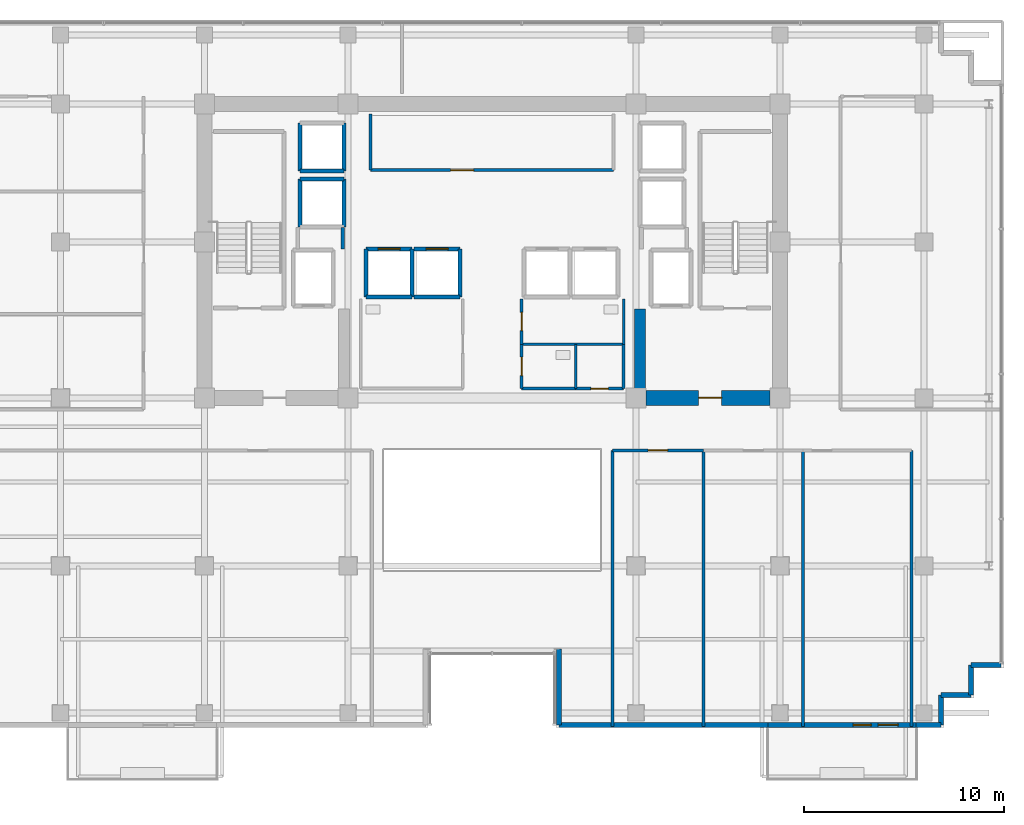
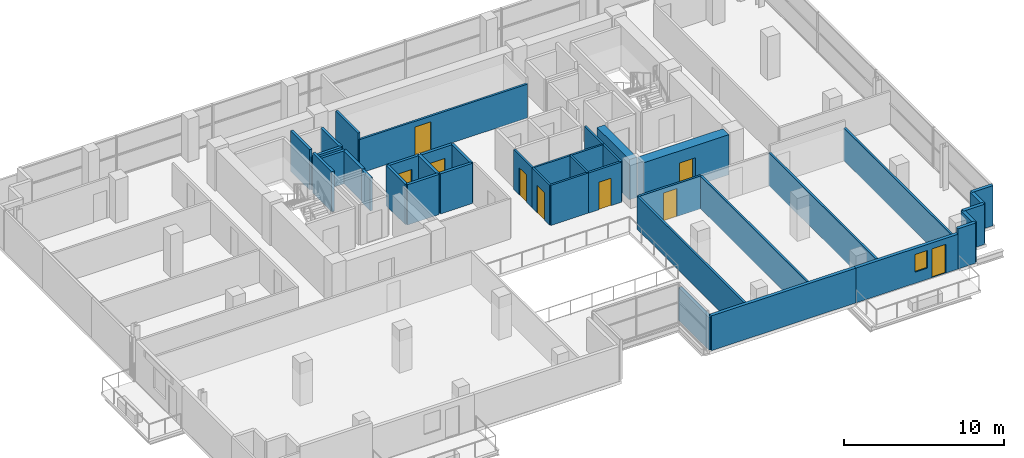
# One storey, part 21 of 28: 39 walls, 9 doors, 1 window, 10 openings.
"""IFC4 building model written with IfcOpenShell, lengths in metres."""

from ifc_helpers import new_model, si_unit, direction, frame, frame_2d, origin, place, context, subcontext, project, spatial, rectangle, extrude, source, transform, mapped, material, layer, layer_set, type_object, element, fill, save


model = new_model("IFC4")

# Units and contexts
model_context = context("Model", 3, precision=1e-05, world=origin(), true_north=direction((0.0, 1.0)))
body_context = subcontext(model_context, "Body", "Model", "MODEL_VIEW")
ifc_project = project(units=[si_unit("LENGTHUNIT", "METRE"), si_unit("AREAUNIT", "SQUARE_METRE"), si_unit("VOLUMEUNIT", "CUBIC_METRE"), si_unit("PLANEANGLEUNIT", "RADIAN"), si_unit("MASSUNIT", "GRAM", prefix="KILO")], contexts=[model_context])

# Site, building, storey
site_placement = place(None, origin())
site = spatial("IfcSite", under=ifc_project, at=site_placement, CompositionType="ELEMENT")
building_placement = place(site_placement, origin())
building = spatial("IfcBuilding", under=site, at=building_placement, Name="Zarnakvel Exchange Tower", CompositionType="ELEMENT")
storey_placement = place(building_placement, frame((0.0, 0.0, 109.89990234375)))
storey = spatial("IfcBuildingStorey", under=building, at=storey_placement, Name="L30", CompositionType="ELEMENT", Elevation=109.89990234375)

# Wall, opening, door
ifc_material_1 = material(Name="Concrete C60/75", Category="concrete")
ifc_layer_1 = layer(ifc_material_1, 0.75)
ifc_layer_set_1 = layer_set([ifc_layer_1], Name="Concrete C60/75")
wall_type_1 = type_object("IfcWallType", Name="CW-C3", PredefinedType="SHEAR", material=ifc_layer_set_1)
wall_1_placement = place(storey_placement, frame((13.89990234375, -1.199951171875, 0.0), z_axis=(0.0, 0.0, 1.0), x_axis=(-1.0, 0.0, 0.0)))
wall_1 = element("IfcWall", 1, at=wall_1_placement, inside=storey, type_object=wall_type_1, Name="L30 Rear Core Shear Wall SE (CW-C3)", PredefinedType="SHEAR", context=body_context, shape_type="SweptSolid", body=[
    extrude(rectangle(XDim=6.199951171875, YDim=0.75, at=frame_2d((3.10009765625, 0.0))), origin(), (0.0, 0.0, 1.0), 3.0751953125),
])
opening_1_placement = place(wall_1_placement, frame((2.425048828125, 0.0, 0.0)))
opening_1 = element("IfcOpeningElement", 2, at=opening_1_placement, cuts=wall_1, Name="Opening D-L30-04", PredefinedType="OPENING", context=body_context, shape_type="SweptSolid", body=[
    extrude(rectangle(XDim=1.14990234375, YDim=2.14990234375, at=frame_2d((0.574951171875, 1.074951171875))), frame((0.0, 0.385009765625, 0.0), z_axis=(0.0, -1.0, 0.0), x_axis=(1.0, 0.0, 0.0)), (0.0, 0.0, 1.0), 0.77001953125),
])
ifc_material_2 = material(Name="Painted Galvanised Steel S355", Category="steel")
door_type_1 = type_object("IfcDoorType", Name="DT-04", OperationType="NOTDEFINED", PredefinedType="DOOR", material=ifc_material_2)
shared_shape_1 = source(origin(), body_context, "Body", "SweptSolid", [
    extrude(rectangle(XDim=1.14990234375, YDim=2.14990234375, at=frame_2d((0.574951171875, 1.074951171875))), frame((0.0, 0.02490234375, 0.0), z_axis=(0.0, -1.0, 0.0), x_axis=(1.0, 0.0, 0.0)), (0.0, 0.0, 1.0), 0.050048828125),
])
door_1_placement = place(opening_1_placement, origin())
door_1 = element("IfcDoor", 3, at=door_1_placement, inside=storey, type_object=door_type_1, Name="L30 Firefighting Lobby East Door D-L30-04", OperationType="SINGLE_SWING_LEFT", OverallHeight=2.14990234375, OverallWidth=1.14990234375, PredefinedType="DOOR", context=body_context, shape_type="MappedRepresentation", body=[
    mapped(shared_shape_1, transform((0.0, 0.0, 0.0), x_axis=(1.0, 0.0, 0.0), y_axis=(0.0, 1.0, 0.0), z_axis=(0.0, 0.0, 1.0), scale=1.0)),
])
fill(opening_1, door_1)

# Wall
ifc_layer_2 = layer(ifc_material_1, 0.550048828125)
ifc_layer_set_2 = layer_set([ifc_layer_2], Name="Concrete C60/75")
wall_type_2 = type_object("IfcWallType", Name="CW-C4", PredefinedType="SHEAR", material=ifc_layer_set_2)
wall_2_placement = place(storey_placement, frame((7.39990234375, -0.824951171875, 0.0), z_axis=(0.0, 0.0, 1.0), x_axis=(0.0, 1.0, 0.0)))
element("IfcWall", 4, at=wall_2_placement, inside=storey, type_object=wall_type_2, Name="L30 Rear Core Shear Wall IE (CW-C4)", PredefinedType="SHEAR", context=body_context, shape_type="SweptSolid", body=[
    extrude(rectangle(XDim=4.074951171875, YDim=0.550048828125, at=frame_2d((2.03759765625, 0.0))), origin(), (0.0, 0.0, 1.0), 3.0751953125),
])

# Wall, openings, door, window
ifc_material_3 = material(Name="Precast concrete C40/50", Category="concrete")
ifc_layer_3 = layer(ifc_material_3, 0.239990234375)
ifc_layer_set_3 = layer_set([ifc_layer_3], Name="Precast concrete C40/50")
wall_type_3 = type_object("IfcWallType", Name="EW-02", PredefinedType="SOLIDWALL", material=ifc_layer_set_3)
wall_3_placement = place(storey_placement, frame((21.199951171875, -17.56005859375, 0.0), z_axis=(0.0, 0.0, 1.0), x_axis=(-1.0, 0.0, 0.0)))
wall_3 = element("IfcWall", 5, at=wall_3_placement, inside=storey, type_object=wall_type_3, Name="L30 Exterior Precast Spandrel Wall EW-BAL-L30-SE (EW-02)", PredefinedType="SOLIDWALL", context=body_context, shape_type="SweptSolid", body=[
    extrude(rectangle(XDim=7.39990234375, YDim=0.239990234375, at=frame_2d((3.699951171875, 0.0))), origin(), (0.0, 0.0, 1.0), 2.6650390625),
])
opening_2_placement = place(wall_3_placement, frame((0.887939453125, 0.0, 0.0)))
opening_2 = element("IfcOpeningElement", 6, at=opening_2_placement, cuts=wall_3, Name="Opening BD-L30-02", PredefinedType="OPENING", context=body_context, shape_type="SweptSolid", body=[
    extrude(rectangle(XDim=1.0, YDim=2.199951171875, at=frame_2d((0.5, 1.10009765625))), frame((0.0, 0.1298828125, 0.0), z_axis=(0.0, -1.0, 0.0), x_axis=(1.0, 0.0, 0.0)), (0.0, 0.0, 1.0), 0.260009765625),
])
opening_3_placement = place(wall_3_placement, frame((2.238037109375, 0.0, 0.85009765625)))
opening_3 = element("IfcOpeningElement", 7, at=opening_3_placement, cuts=wall_3, Name="Opening WN-06", PredefinedType="OPENING", context=body_context, shape_type="SweptSolid", body=[
    extrude(rectangle(XDim=0.89990234375, YDim=1.35009765625, at=frame_2d((0.449951171875, 0.675048828125))), frame((0.0, 0.1298828125, 0.0), z_axis=(0.0, -1.0, 0.0), x_axis=(1.0, 0.0, 0.0)), (0.0, 0.0, 1.0), 0.260009765625),
])
ifc_material_4 = material(Name="Architectural Bronze Anodised Aluminium", Category="aluminium")
door_type_2 = type_object("IfcDoorType", Name="DT-09", OperationType="NOTDEFINED", PredefinedType="DOOR", material=ifc_material_4)
shared_shape_2 = source(origin(), body_context, "Body", "SweptSolid", [
    extrude(rectangle(XDim=1.0, YDim=2.199951171875, at=frame_2d((0.5, 1.10009765625))), frame((0.0, 0.02490234375, 0.0), z_axis=(0.0, -1.0, 0.0), x_axis=(1.0, 0.0, 0.0)), (0.0, 0.0, 1.0), 0.050048828125),
])
door_2_placement = place(opening_2_placement, origin())
door_2 = element("IfcDoor", 8, at=door_2_placement, inside=storey, type_object=door_type_2, Name="L30 Planted Loggia Balcony Door BD-L30-02", OperationType="SINGLE_SWING_LEFT", OverallHeight=2.199951171875, OverallWidth=1.0, PredefinedType="DOOR", context=body_context, shape_type="MappedRepresentation", body=[
    mapped(shared_shape_2, transform((0.0, 0.0, 0.0), x_axis=(1.0, 0.0, 0.0), y_axis=(0.0, 1.0, 0.0), z_axis=(0.0, 0.0, 1.0), scale=1.0)),
])
fill(opening_2, door_2)
ifc_material_5 = material(Name="Double Low-E Laminated Vision Glass", Category="glass")
window_type = type_object("IfcWindowType", Name="WN-06", PartitioningType="SINGLE_PANEL", PredefinedType="WINDOW", material=ifc_material_5)
shared_shape_3 = source(origin(), body_context, "Body", "SweptSolid", [
    extrude(rectangle(XDim=0.89990234375, YDim=1.35009765625, at=frame_2d((0.449951171875, 0.675048828125))), frame((0.0, 0.030029296875, 0.0), z_axis=(0.0, -1.0, 0.0), x_axis=(1.0, 0.0, 0.0)), (0.0, 0.0, 1.0), 0.06005859375),
])
window_placement = place(opening_3_placement, origin())
window = element("IfcWindow", 9, at=window_placement, inside=storey, type_object=window_type, Name="L30 Loggia Daylight Window (WN-06)", OverallHeight=1.35009765625, OverallWidth=0.89990234375, PartitioningType="SINGLE_PANEL", PredefinedType="WINDOW", context=body_context, shape_type="MappedRepresentation", body=[
    mapped(shared_shape_3, transform((0.0, 0.0, 0.0), x_axis=(1.0, 0.0, 0.0), y_axis=(0.0, 1.0, 0.0), z_axis=(0.0, 0.0, 1.0), scale=1.0)),
])
fill(opening_3, window)

# Walls
for number, where, z_axis, x_axis, name in (
    (10, (23.9599609375, -14.56005859375, 0.0), (0.0, 0.0, 1.0), (1.0, 0.0, 0.0), "L30 Exterior Precast Spandrel Wall EWC-L30-11 (EW-02)"),
    (11, (23.9599609375, -16.06005859375, 0.0), (0.0, 0.0, 1.0), (0.0, 1.0, 0.0), "L30 Exterior Precast Spandrel Wall EWC-L30-12 (EW-02)"),
    (12, (22.4599609375, -16.06005859375, 0.0), (0.0, 0.0, 1.0), (1.0, 0.0, 0.0), "L30 Exterior Precast Spandrel Wall EWC-L30-13 (EW-02)"),
    (13, (22.4599609375, -17.56005859375, 0.0), (0.0, 0.0, 1.0), (0.0, 1.0, 0.0), "L30 Exterior Precast Spandrel Wall EWC-L30-14 (EW-02)"),
):
    element("IfcWall", number, at=place(storey_placement, frame(where, z_axis=z_axis, x_axis=x_axis)), inside=storey, type_object=wall_type_3, Name=name, PredefinedType="SOLIDWALL", context=body_context, shape_type="SweptSolid", body=[
        extrude(rectangle(XDim=1.5, YDim=0.239990234375, at=frame_2d((0.75, 0.0))), origin(), (0.0, 0.0, 1.0), 3.0751953125),
    ])
wall_4_placement = place(storey_placement, frame((21.199951171875, -17.56005859375, 0.0), z_axis=(0.0, 0.0, 1.0), x_axis=(1.0, 0.0, 0.0)))
element("IfcWall", 14, at=wall_4_placement, inside=storey, type_object=wall_type_3, Name="L30 Exterior Precast Spandrel Wall EWC-L30-15 (EW-02)", PredefinedType="SOLIDWALL", context=body_context, shape_type="SweptSolid", body=[
    extrude(rectangle(XDim=1.260009765625, YDim=0.239990234375, at=frame_2d((0.6298828125, 0.0))), origin(), (0.0, 0.0, 1.0), 3.0751953125),
])
wall_5_placement = place(storey_placement, frame((3.340087890625, -17.56005859375, 0.0), z_axis=(0.0, 0.0, 1.0), x_axis=(1.0, 0.0, 0.0)))
element("IfcWall", 15, at=wall_5_placement, inside=storey, type_object=wall_type_3, Name="L30 Exterior Precast Spandrel Wall EWC-L30-16 (EW-02)", PredefinedType="SOLIDWALL", context=body_context, shape_type="SweptSolid", body=[
    extrude(rectangle(XDim=10.4599609375, YDim=0.239990234375, at=frame_2d((5.22998046875, 0.0))), origin(), (0.0, 0.0, 1.0), 2.6650390625),
])
wall_6_placement = place(storey_placement, frame((3.340087890625, -13.760009765625, 0.0), z_axis=(0.0, 0.0, 1.0), x_axis=(0.0, -1.0, 0.0)))
element("IfcWall", 16, at=wall_6_placement, inside=storey, type_object=wall_type_3, Name="L30 Exterior Precast Spandrel Wall EWC-L30-17 (EW-02)", PredefinedType="SOLIDWALL", context=body_context, shape_type="SweptSolid", body=[
    extrude(rectangle(XDim=3.800048828125, YDim=0.239990234375, at=frame_2d((1.89990234375, 0.0))), origin(), (0.0, 0.0, 1.0), 2.51513671875),
])

# Wall, opening, door
ifc_material_6 = material(Name="Fire-Rated Gypsum Stud Partition", Category="gypsum")
ifc_layer_4 = layer(ifc_material_6, 0.14990234375)
ifc_layer_set_4 = layer_set([ifc_layer_4], Name="Fire-Rated Gypsum Stud Partition")
wall_type_4 = type_object("IfcWallType", Name="PT-01", PredefinedType="PARTITIONING", material=ifc_layer_set_4)
wall_7_placement = place(storey_placement, frame((6.080078125, 10.199951171875, 0.0), z_axis=(0.0, 0.0, 1.0), x_axis=(-1.0, 0.0, 0.0)))
wall_7 = element("IfcWall", 17, at=wall_7_placement, inside=storey, type_object=wall_type_4, Name="L30 Partition Wall PWALL-L30-011 (PT-01)", PredefinedType="PARTITIONING", context=body_context, shape_type="SweptSolid", body=[
    extrude(rectangle(XDim=12.16015625, YDim=0.14990234375, at=frame_2d((6.080078125, 0.0))), origin(), (0.0, 0.0, 1.0), 2.590087890625),
])
opening_4_placement = place(wall_7_placement, frame((7.0048828125, 0.0, 0.0)))
opening_4 = element("IfcOpeningElement", 18, at=opening_4_placement, cuts=wall_7, Name="Opening D-L30-05", PredefinedType="OPENING", context=body_context, shape_type="SweptSolid", body=[
    extrude(rectangle(XDim=1.14990234375, YDim=2.14990234375, at=frame_2d((0.574951171875, 1.074951171875))), frame((0.0, 0.0849609375, 0.0), z_axis=(0.0, -1.0, 0.0), x_axis=(1.0, 0.0, 0.0)), (0.0, 0.0, 1.0), 0.169921875),
])
door_3_placement = place(opening_4_placement, origin())
door_3 = element("IfcDoor", 19, at=door_3_placement, inside=storey, type_object=door_type_1, Name="L30 Market Data Archive Suite Door D-L30-05", OperationType="SINGLE_SWING_RIGHT", OverallHeight=2.14990234375, OverallWidth=1.14990234375, PredefinedType="DOOR", context=body_context, shape_type="MappedRepresentation", body=[
    mapped(shared_shape_1, transform((0.0, 0.0, 0.0), x_axis=(1.0, 0.0, 0.0), y_axis=(0.0, 1.0, 0.0), z_axis=(0.0, 0.0, 1.0), scale=1.0)),
])
fill(opening_4, door_3)

# Wall
wall_8_placement = place(storey_placement, frame((-6.080078125, 10.199951171875, 0.0), z_axis=(0.0, 0.0, 1.0), x_axis=(0.0, 1.0, 0.0)))
element("IfcWall", 20, at=wall_8_placement, inside=storey, type_object=wall_type_4, Name="L30 Partition Wall PWALL-L30-012 (PT-01)", PredefinedType="PARTITIONING", context=body_context, shape_type="SweptSolid", body=[
    extrude(rectangle(XDim=2.800048828125, YDim=0.14990234375, at=frame_2d((1.39990234375, 0.0))), origin(), (0.0, 0.0, 1.0), 3.0751953125),
])

# Wall, opening, door
wall_9_placement = place(storey_placement, frame((6.580078125, -0.72998046875, 0.0), z_axis=(0.0, 0.0, 1.0), x_axis=(-1.0, 0.0, 0.0)))
wall_9 = element("IfcWall", 21, at=wall_9_placement, inside=storey, type_object=wall_type_4, Name="L30 Partition Wall PWALL-L30-023 (PT-01)", PredefinedType="PARTITIONING", context=body_context, shape_type="SweptSolid", body=[
    extrude(rectangle(XDim=2.400146484375, YDim=0.14990234375, at=frame_2d((1.2001953125, 0.0))), origin(), (0.0, 0.0, 1.0), 3.0751953125),
])
opening_5_placement = place(wall_9_placement, frame((0.760009765625, 0.0, 0.0)))
opening_5 = element("IfcOpeningElement", 22, at=opening_5_placement, cuts=wall_9, Name="Opening D-L30-09", PredefinedType="OPENING", context=body_context, shape_type="SweptSolid", body=[
    extrude(rectangle(XDim=0.8798828125, YDim=2.10009765625, at=frame_2d((0.43994140625, 1.050048828125))), frame((0.0, 0.0849609375, 0.0), z_axis=(0.0, -1.0, 0.0), x_axis=(1.0, 0.0, 0.0)), (0.0, 0.0, 1.0), 0.169921875),
])
door_type_3 = type_object("IfcDoorType", Name="DT-08", OperationType="NOTDEFINED", PredefinedType="DOOR", material=ifc_material_2)
shared_shape_4 = source(origin(), body_context, "Body", "SweptSolid", [
    extrude(rectangle(XDim=0.8798828125, YDim=2.10009765625, at=frame_2d((0.43994140625, 1.050048828125))), frame((0.0, 0.02490234375, 0.0), z_axis=(0.0, -1.0, 0.0), x_axis=(1.0, 0.0, 0.0)), (0.0, 0.0, 1.0), 0.050048828125),
])
door_4_placement = place(opening_5_placement, origin())
door_4 = element("IfcDoor", 23, at=door_4_placement, inside=storey, type_object=door_type_3, Name="L30 Cleaners Store Door D-L30-09", OperationType="SINGLE_SWING_RIGHT", OverallHeight=2.10009765625, OverallWidth=0.8798828125, PredefinedType="DOOR", context=body_context, shape_type="MappedRepresentation", body=[
    mapped(shared_shape_4, transform((0.0, 0.0, 0.0), x_axis=(1.0, 0.0, 0.0), y_axis=(0.0, 1.0, 0.0), z_axis=(0.0, 0.0, 1.0), scale=1.0)),
])
fill(opening_5, door_4)

# Wall
wall_10_placement = place(storey_placement, frame((6.580078125, 1.47998046875, 0.0), z_axis=(0.0, 0.0, 1.0), x_axis=(0.0, -1.0, 0.0)))
element("IfcWall", 24, at=wall_10_placement, inside=storey, type_object=wall_type_4, Name="L30 Partition Wall PWALL-L30-024 (PT-01)", PredefinedType="PARTITIONING", context=body_context, shape_type="SweptSolid", body=[
    extrude(rectangle(XDim=2.2099609375, YDim=0.14990234375, at=frame_2d((1.10498046875, 0.0))), origin(), (0.0, 0.0, 1.0), 3.0751953125),
])

# Wall, opening, door
wall_11_placement = place(storey_placement, frame((6.02001953125, -3.830078125, 0.0), z_axis=(0.0, 0.0, 1.0), x_axis=(1.0, 0.0, 0.0)))
wall_11 = element("IfcWall", 25, at=wall_11_placement, inside=storey, type_object=wall_type_4, Name="L30 Partition Wall PWALL-L30-030 (PT-01)", PredefinedType="PARTITIONING", context=body_context, shape_type="SweptSolid", body=[
    extrude(rectangle(XDim=4.54833984375, YDim=0.14990234375, at=frame_2d((2.274169921875, 0.0))), origin(), (0.0, 0.0, 1.0), 2.51513671875),
])
opening_6_placement = place(wall_11_placement, frame((1.783935546875, 0.0, 0.0)))
opening_6 = element("IfcOpeningElement", 26, at=opening_6_placement, cuts=wall_11, Name="Opening D-L30-11", PredefinedType="OPENING", context=body_context, shape_type="SweptSolid", body=[
    extrude(rectangle(XDim=0.97998046875, YDim=2.14990234375, at=frame_2d((0.489990234375, 1.074951171875))), frame((0.0, 0.0849609375, 0.0), z_axis=(0.0, -1.0, 0.0), x_axis=(1.0, 0.0, 0.0)), (0.0, 0.0, 1.0), 0.169921875),
])
ifc_material_7 = material(Name="Timber Acoustic Veneer", Category="wood")
door_type_4 = type_object("IfcDoorType", Name="DT-05", OperationType="NOTDEFINED", PredefinedType="DOOR", material=ifc_material_7)
shared_shape_5 = source(origin(), body_context, "Body", "SweptSolid", [
    extrude(rectangle(XDim=0.97998046875, YDim=2.14990234375, at=frame_2d((0.489990234375, 1.074951171875))), frame((0.0, 0.02490234375, 0.0), z_axis=(0.0, -1.0, 0.0), x_axis=(1.0, 0.0, 0.0)), (0.0, 0.0, 1.0), 0.050048828125),
])
door_5_placement = place(opening_6_placement, origin())
door_5 = element("IfcDoor", 27, at=door_5_placement, inside=storey, type_object=door_type_4, Name="L30 Conference Room Door D-L30-11", OperationType="SINGLE_SWING_RIGHT", OverallHeight=2.14990234375, OverallWidth=0.97998046875, PredefinedType="DOOR", context=body_context, shape_type="MappedRepresentation", body=[
    mapped(shared_shape_5, transform((0.0, 0.0, 0.0), x_axis=(1.0, 0.0, 0.0), y_axis=(0.0, 1.0, 0.0), z_axis=(0.0, 0.0, 1.0), scale=1.0)),
])
fill(opening_6, door_5)

# Walls
for number, where, z_axis, x_axis, name in (
    (28, (6.02001953125, -17.6298828125, 0.0), (0.0, 0.0, 1.0), (0.0, 1.0, 0.0), "L30 Partition Wall PWALL-L30-031 (PT-01)"),
    (29, (10.568359375, -3.830078125, 0.0), (0.0, 0.0, 1.0), (0.0, -1.0, 0.0), "L30 Partition Wall PWALL-L30-032 (PT-01)"),
    (30, (15.5556640625, -3.830078125, 0.0), (0.0, 0.0, 1.0), (0.0, -1.0, 0.0), "L30 Partition Wall PWALL-L30-035 (PT-01)"),
    (31, (20.981689453125, -3.830078125, 0.0), (0.0, 0.0, 1.0), (0.0, -1.0, 0.0), "L30 Partition Wall PWALL-L30-038 (PT-01)"),
):
    element("IfcWall", number, at=place(storey_placement, frame(where, z_axis=z_axis, x_axis=x_axis)), inside=storey, type_object=wall_type_4, Name=name, PredefinedType="PARTITIONING", context=body_context, shape_type="SweptSolid", body=[
        extrude(rectangle(XDim=13.7998046875, YDim=0.14990234375, at=frame_2d((6.89990234375, 0.0))), origin(), (0.0, 0.0, 1.0), 2.51513671875),
    ])
ifc_layer_5 = layer(ifc_material_6, 0.179931640625)
ifc_layer_set_5 = layer_set([ifc_layer_5], Name="Fire-Rated Gypsum Stud Partition")
wall_type_5 = type_object("IfcWallType", Name="PT-02", PredefinedType="PARTITIONING", material=ifc_layer_set_5)
wall_12_placement = place(storey_placement, frame((-7.469970703125, 7.330078125, 0.0), z_axis=(0.0, 0.0, 1.0), x_axis=(0.0, -1.0, 0.0)))
element("IfcWall", 32, at=wall_12_placement, inside=storey, type_object=wall_type_5, Name="L30 Partition Wall PWALL-L30-008 (PT-02)", PredefinedType="PARTITIONING", context=body_context, shape_type="SweptSolid", body=[
    extrude(rectangle(XDim=1.090087890625, YDim=0.179931640625, at=frame_2d((0.544921875, 0.0))), origin(), (0.0, 0.0, 1.0), 2.51513671875),
])
ifc_material_8 = material(Name="Moisture-Resistant Tile-Faced Partition", Category="gypsum")
ifc_layer_6 = layer(ifc_material_8, 0.135009765625)
ifc_layer_set_6 = layer_set([ifc_layer_6], Name="Moisture-Resistant Tile-Faced Partition")
wall_type_6 = type_object("IfcWallType", Name="PT-03", PredefinedType="PARTITIONING", material=ifc_layer_set_6)
wall_13_placement = place(storey_placement, frame((6.580078125, 1.47998046875, 0.0), z_axis=(0.0, 0.0, 1.0), x_axis=(-1.0, 0.0, 0.0)))
element("IfcWall", 33, at=wall_13_placement, inside=storey, type_object=wall_type_6, Name="L30 Partition Wall PWALL-L30-017 (PT-03)", PredefinedType="PARTITIONING", context=body_context, shape_type="SweptSolid", body=[
    extrude(rectangle(XDim=5.110107421875, YDim=0.135009765625, at=frame_2d((2.55517578125, 0.0))), origin(), (0.0, 0.0, 1.0), 3.0751953125),
])

# Wall, opening, door
wall_14_placement = place(storey_placement, frame((1.469970703125, 1.47998046875, 0.0), z_axis=(0.0, 0.0, 1.0), x_axis=(0.0, 1.0, 0.0)))
wall_14 = element("IfcWall", 34, at=wall_14_placement, inside=storey, type_object=wall_type_6, Name="L30 Partition Wall PWALL-L30-018 (PT-03)", PredefinedType="PARTITIONING", context=body_context, shape_type="SweptSolid", body=[
    extrude(rectangle(XDim=2.280029296875, YDim=0.135009765625, at=frame_2d((1.14013671875, 0.0))), origin(), (0.0, 0.0, 1.0), 3.0751953125),
])
opening_7_placement = place(wall_14_placement, frame((0.679931640625, 0.0, 0.0)))
opening_7 = element("IfcOpeningElement", 35, at=opening_7_placement, cuts=wall_14, Name="Opening D-L30-07", PredefinedType="OPENING", context=body_context, shape_type="SweptSolid", body=[
    extrude(rectangle(XDim=0.919921875, YDim=2.10009765625, at=frame_2d((0.4599609375, 1.050048828125))), frame((0.0, 0.077392578125, 0.0), z_axis=(0.0, -1.0, 0.0), x_axis=(1.0, 0.0, 0.0)), (0.0, 0.0, 1.0), 0.155029296875),
])
ifc_material_9 = material(Name="Moisture-Resistant Laminate Timber", Category="wood")
door_type_5 = type_object("IfcDoorType", Name="DT-07", OperationType="NOTDEFINED", PredefinedType="DOOR", material=ifc_material_9)
shared_shape_6 = source(origin(), body_context, "Body", "SweptSolid", [
    extrude(rectangle(XDim=0.919921875, YDim=2.10009765625, at=frame_2d((0.4599609375, 1.050048828125))), frame((0.0, 0.02490234375, 0.0), z_axis=(0.0, -1.0, 0.0), x_axis=(1.0, 0.0, 0.0)), (0.0, 0.0, 1.0), 0.050048828125),
])
door_6_placement = place(opening_7_placement, origin())
door_6 = element("IfcDoor", 36, at=door_6_placement, inside=storey, type_object=door_type_5, Name="L30 Female Toilet Door D-L30-07", OperationType="SINGLE_SWING_RIGHT", OverallHeight=2.10009765625, OverallWidth=0.919921875, PredefinedType="DOOR", context=body_context, shape_type="MappedRepresentation", body=[
    mapped(shared_shape_6, transform((0.0, 0.0, 0.0), x_axis=(1.0, 0.0, 0.0), y_axis=(0.0, 1.0, 0.0), z_axis=(0.0, 0.0, 1.0), scale=1.0)),
])
fill(opening_7, door_6)

# Walls
wall_15_placement = place(storey_placement, frame((6.580078125, 3.760009765625, 0.0), z_axis=(0.0, 0.0, 1.0), x_axis=(0.0, -1.0, 0.0)))
element("IfcWall", 37, at=wall_15_placement, inside=storey, type_object=wall_type_6, Name="L30 Partition Wall PWALL-L30-019 (PT-03)", PredefinedType="PARTITIONING", context=body_context, shape_type="SweptSolid", body=[
    extrude(rectangle(XDim=2.280029296875, YDim=0.135009765625, at=frame_2d((1.14013671875, 0.0))), origin(), (0.0, 0.0, 1.0), 3.0751953125),
])
wall_16_placement = place(storey_placement, frame((4.179931640625, -0.72998046875, 0.0), z_axis=(0.0, 0.0, 1.0), x_axis=(-1.0, 0.0, 0.0)))
element("IfcWall", 38, at=wall_16_placement, inside=storey, type_object=wall_type_6, Name="L30 Partition Wall PWALL-L30-020 (PT-03)", PredefinedType="PARTITIONING", context=body_context, shape_type="SweptSolid", body=[
    extrude(rectangle(XDim=2.7099609375, YDim=0.135009765625, at=frame_2d((1.35498046875, 0.0))), origin(), (0.0, 0.0, 1.0), 3.0751953125),
])

# Wall, opening, door
wall_17_placement = place(storey_placement, frame((1.469970703125, -0.72998046875, 0.0), z_axis=(0.0, 0.0, 1.0), x_axis=(0.0, 1.0, 0.0)))
wall_17 = element("IfcWall", 39, at=wall_17_placement, inside=storey, type_object=wall_type_6, Name="L30 Partition Wall PWALL-L30-021 (PT-03)", PredefinedType="PARTITIONING", context=body_context, shape_type="SweptSolid", body=[
    extrude(rectangle(XDim=2.2099609375, YDim=0.135009765625, at=frame_2d((1.10498046875, 0.0))), origin(), (0.0, 0.0, 1.0), 3.0751953125),
])
opening_8_placement = place(wall_17_placement, frame((0.64990234375, 0.0, 0.0)))
opening_8 = element("IfcOpeningElement", 40, at=opening_8_placement, cuts=wall_17, Name="Opening D-L30-08", PredefinedType="OPENING", context=body_context, shape_type="SweptSolid", body=[
    extrude(rectangle(XDim=0.919921875, YDim=2.10009765625, at=frame_2d((0.4599609375, 1.050048828125))), frame((0.0, 0.077392578125, 0.0), z_axis=(0.0, -1.0, 0.0), x_axis=(1.0, 0.0, 0.0)), (0.0, 0.0, 1.0), 0.155029296875),
])
door_7_placement = place(opening_8_placement, origin())
door_7 = element("IfcDoor", 41, at=door_7_placement, inside=storey, type_object=door_type_5, Name="L30 Accessible Toilet Door D-L30-08", OperationType="SINGLE_SWING_LEFT", OverallHeight=2.10009765625, OverallWidth=0.919921875, PredefinedType="DOOR", context=body_context, shape_type="MappedRepresentation", body=[
    mapped(shared_shape_6, transform((0.0, 0.0, 0.0), x_axis=(1.0, 0.0, 0.0), y_axis=(0.0, 1.0, 0.0), z_axis=(0.0, 0.0, 1.0), scale=1.0)),
])
fill(opening_8, door_7)

# Walls
wall_18_placement = place(storey_placement, frame((4.179931640625, 1.47998046875, 0.0), z_axis=(0.0, 0.0, 1.0), x_axis=(0.0, -1.0, 0.0)))
element("IfcWall", 42, at=wall_18_placement, inside=storey, type_object=wall_type_6, Name="L30 Partition Wall PWALL-L30-022 (PT-03)", PredefinedType="PARTITIONING", context=body_context, shape_type="SweptSolid", body=[
    extrude(rectangle(XDim=2.2099609375, YDim=0.135009765625, at=frame_2d((1.10498046875, 0.0))), origin(), (0.0, 0.0, 1.0), 3.0751953125),
])
ifc_material_10 = material(Name="Concrete C40/50", Category="concrete")
ifc_layer_7 = layer(ifc_material_10, 0.199951171875)
ifc_layer_set_7 = layer_set([ifc_layer_7], Name="Concrete C40/50")
wall_type_7 = type_object("IfcWallType", Name="SW-01", PredefinedType="SOLIDWALL", material=ifc_layer_set_7)
wall_19_placement = place(storey_placement, frame((-4.0, 3.85009765625, 0.0), z_axis=(0.0, 0.0, 1.0), x_axis=(-1.0, 0.0, 0.0)))
element("IfcWall", 43, at=wall_19_placement, inside=storey, type_object=wall_type_7, Name="L30 PL-05 Hoistway Wall South", PredefinedType="SOLIDWALL", context=body_context, shape_type="SweptSolid", body=[
    extrude(rectangle(XDim=2.300048828125, YDim=0.199951171875, at=frame_2d((1.14990234375, 0.0))), origin(), (0.0, 0.0, 1.0), 3.0751953125),
])

# Wall, opening, door
wall_20_placement = place(storey_placement, frame((-6.300048828125, 6.25, 0.0), z_axis=(0.0, 0.0, 1.0), x_axis=(1.0, 0.0, 0.0)))
wall_20 = element("IfcWall", 44, at=wall_20_placement, inside=storey, type_object=wall_type_7, Name="L30 PL-05 Hoistway Wall North", PredefinedType="SOLIDWALL", context=body_context, shape_type="SweptSolid", body=[
    extrude(rectangle(XDim=2.300048828125, YDim=0.199951171875, at=frame_2d((1.14990234375, 0.0))), origin(), (0.0, 0.0, 1.0), 3.0751953125),
])
opening_9_placement = place(wall_20_placement, frame((0.60009765625, 0.0, 0.0)))
opening_9 = element("IfcOpeningElement", 45, at=opening_9_placement, cuts=wall_20, Name="Opening LD-PL-05-L30", PredefinedType="OPENING", context=body_context, shape_type="SweptSolid", body=[
    extrude(rectangle(XDim=1.10009765625, YDim=2.199951171875, at=frame_2d((0.550048828125, 1.10009765625))), frame((0.0, 0.10986328125, 0.0), z_axis=(0.0, -1.0, 0.0), x_axis=(1.0, 0.0, 0.0)), (0.0, 0.0, 1.0), 0.219970703125),
])
door_type_6 = type_object("IfcDoorType", Name="LDT-02", OperationType="NOTDEFINED", PredefinedType="DOOR", material=ifc_material_4)
shared_shape_7 = source(origin(), body_context, "Body", "SweptSolid", [
    extrude(rectangle(XDim=1.10009765625, YDim=2.199951171875, at=frame_2d((0.550048828125, 1.10009765625))), frame((0.0, 0.02490234375, 0.0), z_axis=(0.0, -1.0, 0.0), x_axis=(1.0, 0.0, 0.0)), (0.0, 0.0, 1.0), 0.050048828125),
])
door_8_placement = place(opening_9_placement, origin())
door_8 = element("IfcDoor", 46, at=door_8_placement, inside=storey, type_object=door_type_6, Name="L30 PL-05 Lift Landing Door LD-PL-05-L30", OperationType="DOUBLE_DOOR_SLIDING", OverallHeight=2.199951171875, OverallWidth=1.10009765625, PredefinedType="DOOR", context=body_context, shape_type="MappedRepresentation", body=[
    mapped(shared_shape_7, transform((0.0, 0.0, 0.0), x_axis=(1.0, 0.0, 0.0), y_axis=(0.0, 1.0, 0.0), z_axis=(0.0, 0.0, 1.0), scale=1.0)),
])
fill(opening_9, door_8)

# Walls
for number, where, z_axis, x_axis, name in (
    (47, (-6.300048828125, 3.85009765625, 0.0), (0.0, 0.0, 1.0), (0.0, 1.0, 0.0), "L30 PL-05 Hoistway Wall West"),
    (48, (-4.0, 6.25, 0.0), (0.0, 0.0, 1.0), (0.0, -1.0, 0.0), "L30 PL-05 Hoistway Wall East"),
):
    element("IfcWall", number, at=place(storey_placement, frame(where, z_axis=z_axis, x_axis=x_axis)), inside=storey, type_object=wall_type_7, Name=name, PredefinedType="SOLIDWALL", context=body_context, shape_type="SweptSolid", body=[
        extrude(rectangle(XDim=2.39990234375, YDim=0.199951171875, at=frame_2d((1.199951171875, 0.0))), origin(), (0.0, 0.0, 1.0), 3.0751953125),
    ])
wall_21_placement = place(storey_placement, frame((-1.60009765625, 3.85009765625, 0.0), z_axis=(0.0, 0.0, 1.0), x_axis=(-1.0, 0.0, 0.0)))
element("IfcWall", 49, at=wall_21_placement, inside=storey, type_object=wall_type_7, Name="L30 PL-06 Hoistway Wall South", PredefinedType="SOLIDWALL", context=body_context, shape_type="SweptSolid", body=[
    extrude(rectangle(XDim=2.2998046875, YDim=0.199951171875, at=frame_2d((1.14990234375, 0.0))), origin(), (0.0, 0.0, 1.0), 3.0751953125),
])

# Wall, opening, door
wall_22_placement = place(storey_placement, frame((-3.89990234375, 6.25, 0.0), z_axis=(0.0, 0.0, 1.0), x_axis=(1.0, 0.0, 0.0)))
wall_22 = element("IfcWall", 50, at=wall_22_placement, inside=storey, type_object=wall_type_7, Name="L30 PL-06 Hoistway Wall North", PredefinedType="SOLIDWALL", context=body_context, shape_type="SweptSolid", body=[
    extrude(rectangle(XDim=2.2998046875, YDim=0.199951171875, at=frame_2d((1.14990234375, 0.0))), origin(), (0.0, 0.0, 1.0), 3.0751953125),
])
opening_10_placement = place(wall_22_placement, frame((0.60009765625, 0.0, 0.0)))
opening_10 = element("IfcOpeningElement", 51, at=opening_10_placement, cuts=wall_22, Name="Opening LD-PL-06-L30", PredefinedType="OPENING", context=body_context, shape_type="SweptSolid", body=[
    extrude(rectangle(XDim=1.10009765625, YDim=2.199951171875, at=frame_2d((0.550048828125, 1.10009765625))), frame((0.0, 0.10986328125, 0.0), z_axis=(0.0, -1.0, 0.0), x_axis=(1.0, 0.0, 0.0)), (0.0, 0.0, 1.0), 0.219970703125),
])
door_9_placement = place(opening_10_placement, origin())
door_9 = element("IfcDoor", 52, at=door_9_placement, inside=storey, type_object=door_type_6, Name="L30 PL-06 Lift Landing Door LD-PL-06-L30", OperationType="DOUBLE_DOOR_SLIDING", OverallHeight=2.199951171875, OverallWidth=1.10009765625, PredefinedType="DOOR", context=body_context, shape_type="MappedRepresentation", body=[
    mapped(shared_shape_7, transform((0.0, 0.0, 0.0), x_axis=(1.0, 0.0, 0.0), y_axis=(0.0, 1.0, 0.0), z_axis=(0.0, 0.0, 1.0), scale=1.0)),
])
fill(opening_10, door_9)

# Walls
wall_23_placement = place(storey_placement, frame((-1.60009765625, 6.25, 0.0), z_axis=(0.0, 0.0, 1.0), x_axis=(0.0, -1.0, 0.0)))
element("IfcWall", 53, at=wall_23_placement, inside=storey, type_object=wall_type_7, Name="L30 PL-06 Hoistway Wall East", PredefinedType="SOLIDWALL", context=body_context, shape_type="SweptSolid", body=[
    extrude(rectangle(XDim=2.39990234375, YDim=0.199951171875, at=frame_2d((1.199951171875, 0.0))), origin(), (0.0, 0.0, 1.0), 3.0751953125),
])
wall_24_placement = place(storey_placement, frame((-9.60009765625, 9.75, 0.0), z_axis=(0.0, 0.0, 1.0), x_axis=(1.0, 0.0, 0.0)))
element("IfcWall", 54, at=wall_24_placement, inside=storey, type_object=wall_type_7, Name="L30 PL-09 Hoistway Wall North", PredefinedType="SOLIDWALL", context=body_context, shape_type="SweptSolid", body=[
    extrude(rectangle(XDim=2.2001953125, YDim=0.199951171875, at=frame_2d((1.10009765625, 0.0))), origin(), (0.0, 0.0, 1.0), 2.51513671875),
])
wall_25_placement = place(storey_placement, frame((-9.60009765625, 7.35009765625, 0.0), z_axis=(0.0, 0.0, 1.0), x_axis=(0.0, 1.0, 0.0)))
element("IfcWall", 55, at=wall_25_placement, inside=storey, type_object=wall_type_7, Name="L30 PL-09 Hoistway Wall West", PredefinedType="SOLIDWALL", context=body_context, shape_type="SweptSolid", body=[
    extrude(rectangle(XDim=2.39990234375, YDim=0.199951171875, at=frame_2d((1.199951171875, 0.0))), origin(), (0.0, 0.0, 1.0), 3.0751953125),
])
wall_26_placement = place(storey_placement, frame((-7.39990234375, 9.75, 0.0), z_axis=(0.0, 0.0, 1.0), x_axis=(0.0, -1.0, 0.0)))
element("IfcWall", 56, at=wall_26_placement, inside=storey, type_object=wall_type_7, Name="L30 PL-09 Hoistway Wall East", PredefinedType="SOLIDWALL", context=body_context, shape_type="SweptSolid", body=[
    extrude(rectangle(XDim=2.39990234375, YDim=0.199951171875, at=frame_2d((1.199951171875, 0.0))), origin(), (0.0, 0.0, 1.0), 2.51513671875),
])
wall_27_placement = place(storey_placement, frame((-7.39990234375, 10.14990234375, 0.0), z_axis=(0.0, 0.0, 1.0), x_axis=(-1.0, 0.0, 0.0)))
element("IfcWall", 57, at=wall_27_placement, inside=storey, type_object=wall_type_7, Name="L30 PL-10 Hoistway Wall South", PredefinedType="SOLIDWALL", context=body_context, shape_type="SweptSolid", body=[
    extrude(rectangle(XDim=2.2001953125, YDim=0.199951171875, at=frame_2d((1.10009765625, 0.0))), origin(), (0.0, 0.0, 1.0), 2.51513671875),
])
wall_28_placement = place(storey_placement, frame((-9.60009765625, 10.14990234375, 0.0), z_axis=(0.0, 0.0, 1.0), x_axis=(0.0, 1.0, 0.0)))
element("IfcWall", 58, at=wall_28_placement, inside=storey, type_object=wall_type_7, Name="L30 PL-10 Hoistway Wall West", PredefinedType="SOLIDWALL", context=body_context, shape_type="SweptSolid", body=[
    extrude(rectangle(XDim=2.400146484375, YDim=0.199951171875, at=frame_2d((1.2001953125, 0.0))), origin(), (0.0, 0.0, 1.0), 3.0751953125),
])
wall_29_placement = place(storey_placement, frame((-7.39990234375, 12.550048828125, 0.0), z_axis=(0.0, 0.0, 1.0), x_axis=(0.0, -1.0, 0.0)))
element("IfcWall", 59, at=wall_29_placement, inside=storey, type_object=wall_type_7, Name="L30 PL-10 Hoistway Wall East", PredefinedType="SOLIDWALL", context=body_context, shape_type="SweptSolid", body=[
    extrude(rectangle(XDim=2.400146484375, YDim=0.199951171875, at=frame_2d((1.2001953125, 0.0))), origin(), (0.0, 0.0, 1.0), 2.51513671875),
])

save(model, "model.ifc")
